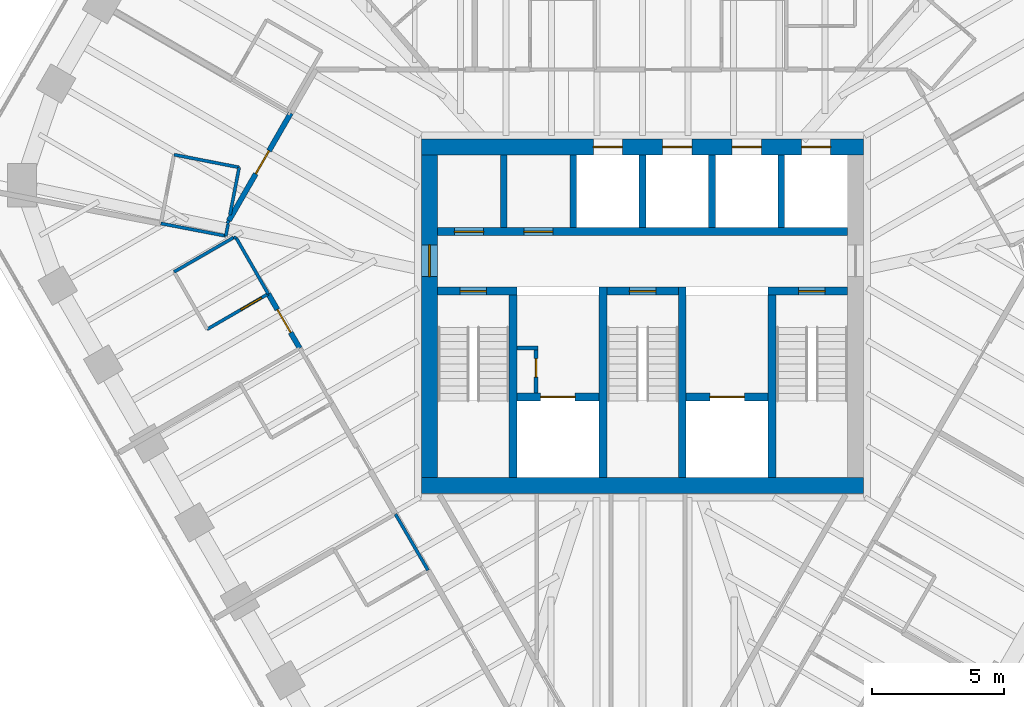
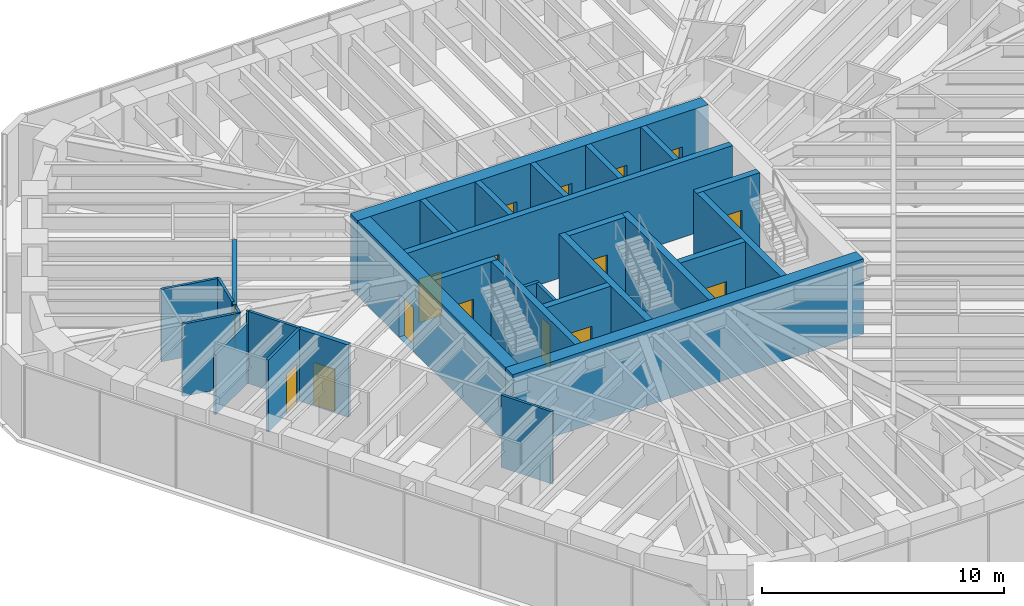
# One storey, part 10 of 14: 32 walls, 16 doors, 16 openings.
"""IFC4 building model written with IfcOpenShell, lengths in metres."""

from ifc_helpers import new_model, si_unit, direction, frame, frame_2d, origin, place, context, subcontext, project, spatial, rectangle, extrude, material, layer, layer_set, type_object, element, fill, save


model = new_model("IFC4")

# Units and contexts
model_context = context("Model", 3, precision=1e-05, world=origin(), true_north=direction((0.0, 1.0)))
body_context = subcontext(model_context, "Body", "Model", "MODEL_VIEW")
ifc_project = project(units=[si_unit("LENGTHUNIT", "METRE"), si_unit("AREAUNIT", "SQUARE_METRE"), si_unit("VOLUMEUNIT", "CUBIC_METRE"), si_unit("PLANEANGLEUNIT", "RADIAN"), si_unit("MASSUNIT", "GRAM", prefix="KILO")], contexts=[model_context])

# Site, building, storey
site_placement = place(None, origin())
site = spatial("IfcSite", under=ifc_project, at=site_placement, CompositionType="ELEMENT")
building_placement = place(site_placement, origin())
building = spatial("IfcBuilding", under=site, at=building_placement, Name="Sandreach Pilgrim Tower", CompositionType="ELEMENT")
storey_placement = place(building_placement, frame((0.0, 0.0, 287.39990234375)))
storey = spatial("IfcBuildingStorey", under=building, at=storey_placement, Name="L72", CompositionType="ELEMENT", Elevation=287.39990234375)

# Wall
ifc_material_1 = material(Name="Moisture-resistant gypsum board on steel studs", Category="steel")
ifc_layer_1 = layer(ifc_material_1, 0.1201171875)
ifc_layer_set_1 = layer_set([ifc_layer_1], Name="Bathroom partition 120")
wall_type_1 = type_object("IfcWallType", Name="Bathroom partition 120", PredefinedType="PARTITIONING", material=ifc_layer_set_1)
wall_1_placement = place(storey_placement, frame((-18.2099609375, 3.510009765625, 0.0), z_axis=(0.0, 0.0, 1.0), x_axis=(0.9820935986, -0.188393639991, 0.0)))
element("IfcWall", 1, at=wall_1_placement, inside=storey, type_object=wall_type_1, Name="Bathroom partition L72-004", PredefinedType="PARTITIONING", context=body_context, shape_type="SweptSolid", body=[
    extrude(rectangle(XDim=2.49462890625, YDim=0.1201171875, at=frame_2d((1.247314453125, 0.0))), origin(), (0.0, 0.0, 1.0), 3.64013671875),
])

# Wall, opening, door
wall_2_placement = place(storey_placement, frame((-16.4599609375, -0.489990234375, 0.0), z_axis=(0.0, 0.0, 1.0), x_axis=(0.86498992408, 0.501789229896, 0.0)))
wall_2 = element("IfcWall", 2, at=wall_2_placement, inside=storey, type_object=wall_type_1, Name="Bathroom partition L72-008", PredefinedType="PARTITIONING", context=body_context, shape_type="SweptSolid", body=[
    extrude(rectangle(XDim=2.670654296875, YDim=0.1201171875, at=frame_2d((1.33544921875, 0.0))), origin(), (0.0, 0.0, 1.0), 3.64013671875),
])
opening_1_placement = place(wall_2_placement, frame((1.470458984375, 0.0, 0.0)))
opening_1 = element("IfcOpeningElement", 3, at=opening_1_placement, cuts=wall_2, Name="Opening D09-14B", PredefinedType="OPENING", context=body_context, shape_type="SweptSolid", body=[
    extrude(rectangle(XDim=0.89990234375, YDim=2.030029296875, at=frame_2d((0.449951171875, 1.01513671875))), frame((0.0, 0.06005859375, 0.0), z_axis=(0.0, -1.0, 0.0), x_axis=(1.0, 0.0, 0.0)), (0.0, 0.0, 1.0), 0.1201171875),
])
ifc_material_2 = material(Name="Timber door, steel frame", Category="steel")
door_type_1 = type_object("IfcDoorType", Name="Bathroom door", OperationType="SINGLE_SWING_LEFT", PredefinedType="DOOR", material=ifc_material_2)
door_1_placement = place(opening_1_placement, origin())
door_1 = element("IfcDoor", 4, at=door_1_placement, inside=storey, type_object=door_type_1, Name="Door 7214B", OperationType="SINGLE_SWING_RIGHT", OverallHeight=2.030029296875, OverallWidth=0.89990234375, PredefinedType="DOOR", context=body_context, shape_type="SweptSolid", body=[
    extrude(rectangle(XDim=0.89990234375, YDim=2.030029296875, at=frame_2d((0.449951171875, 1.01513671875))), frame((0.0, 0.02490234375, 0.0), z_axis=(0.0, -1.0, 0.0), x_axis=(1.0, 0.0, 0.0)), (0.0, 0.0, 1.0), 0.050048828125),
])
fill(opening_1, door_1)

# Walls
wall_3_placement = place(storey_placement, frame((-15.701171875, 3.510498046875, 0.0), z_axis=(0.0, 0.0, 1.0), x_axis=(0.498654097425, 0.86680106779, 0.0)))
element("IfcWall", 5, at=wall_3_placement, inside=storey, type_object=wall_type_1, Name="Bathroom partition L72-010", PredefinedType="PARTITIONING", context=body_context, shape_type="SweptSolid", body=[
    extrude(rectangle(XDim=0.125244140625, YDim=0.1201171875, at=frame_2d((0.0625, 0.0))), origin(), (0.0, 0.0, 1.0), 3.64013671875),
])
wall_4_placement = place(storey_placement, frame((-15.66845703125, 3.48583984375, 0.0), z_axis=(0.0, 0.0, 1.0), x_axis=(-0.18920021221, -0.981938531528, 0.0)))
element("IfcWall", 6, at=wall_4_placement, inside=storey, type_object=wall_type_1, Name="Bathroom partition L72-011", PredefinedType="PARTITIONING", context=body_context, shape_type="SweptSolid", body=[
    extrude(rectangle(XDim=0.4619140625, YDim=0.1201171875, at=frame_2d((0.23095703125, 0.0))), origin(), (0.0, 0.0, 1.0), 3.64013671875),
])
wall_5_placement = place(storey_placement, frame((-15.59912109375, 3.8310546875, 0.0), z_axis=(0.0, 0.0, 1.0), x_axis=(0.190502378828, 0.981686733974, 0.0)))
element("IfcWall", 7, at=wall_5_placement, inside=storey, type_object=wall_type_1, Name="Bathroom partition L72-013", PredefinedType="PARTITIONING", context=body_context, shape_type="SweptSolid", body=[
    extrude(rectangle(XDim=1.83251953125, YDim=0.1201171875, at=frame_2d((0.916259765625, 0.0))), origin(), (0.0, 0.0, 1.0), 3.64013671875),
])
wall_6_placement = place(storey_placement, frame((-15.4599609375, 2.97998046875, 0.0), z_axis=(0.0, 0.0, 1.0), x_axis=(-0.865856933682, -0.500291685314, 0.0)))
element("IfcWall", 8, at=wall_6_placement, inside=storey, type_object=wall_type_1, Name="Bathroom partition L72-015", PredefinedType="PARTITIONING", context=body_context, shape_type="SweptSolid", body=[
    extrude(rectangle(XDim=2.5986328125, YDim=0.1201171875, at=frame_2d((1.29931640625, 0.0))), origin(), (0.0, 0.0, 1.0), 3.0380859375),
])
wall_7_placement = place(storey_placement, frame((-15.4599609375, 2.97998046875, 0.0), z_axis=(0.0, 0.0, 1.0), x_axis=(0.980580675691, -0.196116135138, 0.0)))
element("IfcWall", 9, at=wall_7_placement, inside=storey, type_object=wall_type_1, Name="Bathroom partition L72-016", PredefinedType="PARTITIONING", context=body_context, shape_type="SweptSolid", body=[
    extrude(rectangle(XDim=0.10205078125, YDim=0.1201171875, at=frame_2d((0.051025390625, 0.0))), origin(), (0.0, 0.0, 1.0), 3.64013671875),
])
wall_8_placement = place(storey_placement, frame((-15.360107421875, 2.9599609375, 0.0), z_axis=(0.0, 0.0, 1.0), x_axis=(0.497511007376, -0.867457663255, 0.0)))
element("IfcWall", 10, at=wall_8_placement, inside=storey, type_object=wall_type_1, Name="Bathroom partition L72-017", PredefinedType="PARTITIONING", context=body_context, shape_type="SweptSolid", body=[
    extrude(rectangle(XDim=2.4326171875, YDim=0.1201171875, at=frame_2d((1.21630859375, 0.0))), origin(), (0.0, 0.0, 1.0), 3.64013671875),
])
wall_9_placement = place(storey_placement, frame((-15.25, 5.6298828125, 0.0), z_axis=(0.0, 0.0, 1.0), x_axis=(-0.981473171926, 0.191599615838, 0.0)))
element("IfcWall", 11, at=wall_9_placement, inside=storey, type_object=wall_type_1, Name="Bathroom partition L72-018", PredefinedType="PARTITIONING", context=body_context, shape_type="SweptSolid", body=[
    extrude(rectangle(XDim=2.50634765625, YDim=0.1201171875, at=frame_2d((1.253173828125, 0.0))), origin(), (0.0, 0.0, 1.0), 3.64013671875),
])
wall_10_placement = place(storey_placement, frame((-9.340087890625, -7.47998046875, 0.0), z_axis=(0.0, 0.0, 1.0), x_axis=(0.501813488763, -0.864975850817, 0.0)))
element("IfcWall", 12, at=wall_10_placement, inside=storey, type_object=wall_type_1, Name="Bathroom partition L72-036", PredefinedType="PARTITIONING", context=body_context, shape_type="SweptSolid", body=[
    extrude(rectangle(XDim=2.451171875, YDim=0.1201171875, at=frame_2d((1.2255859375, 0.0))), origin(), (0.0, 0.0, 1.0), 3.64013671875),
])
ifc_material_3 = material(Name="Concrete 10000 psi", Category="concrete")
ifc_layer_2 = layer(ifc_material_3, 0.300048828125)
ifc_layer_set_2 = layer_set([ifc_layer_2], Name="Core inner wall 300")
wall_type_2 = type_object("IfcWallType", Name="Core inner wall 300", PredefinedType="SHEAR", material=ifc_layer_set_2)
for number, where, z_axis, x_axis, name in (
    (13, (-4.89990234375, -6.10009765625, 0.0), (0.0, 0.0, 1.0), (0.0, 1.0, 0.0), "Core wall I0 L72"),
    (14, (-1.5, -6.10009765625, 0.0), (0.0, 0.0, 1.0), (0.0, 1.0, 0.0), "Core wall I1 L72"),
    (15, (1.5, -6.10009765625, 0.0), (0.0, 0.0, 1.0), (0.0, 1.0, 0.0), "Core wall I2 L72"),
    (16, (4.89990234375, -6.10009765625, 0.0), (0.0, 0.0, 1.0), (0.0, 1.0, 0.0), "Core wall I3 L72"),
):
    element("IfcWall", number, at=place(storey_placement, frame(where, z_axis=z_axis, x_axis=x_axis)), inside=storey, type_object=wall_type_2, Name=name, PredefinedType="SHEAR", context=body_context, shape_type="SweptSolid", body=[
        extrude(rectangle(XDim=7.2001953125, YDim=0.300048828125, at=frame_2d((3.60009765625, 0.0))), origin(), (0.0, 0.0, 1.0), 3.800048828125),
    ])

# Wall, opening, door
wall_11_placement = place(storey_placement, frame((-7.75, 0.949951171875, 0.0), z_axis=(0.0, 0.0, 1.0), x_axis=(1.0, 0.0, 0.0)))
wall_11 = element("IfcWall", 17, at=wall_11_placement, inside=storey, type_object=wall_type_2, Name="Core wall SN1 L72", PredefinedType="SHEAR", context=body_context, shape_type="SweptSolid", body=[
    extrude(rectangle(XDim=3.0, YDim=0.300048828125, at=frame_2d((1.5, 0.0))), origin(), (0.0, 0.0, 1.0), 3.800048828125),
])
opening_2_placement = place(wall_11_placement, frame((0.85009765625, 0.0, 0.0)))
opening_2 = element("IfcOpeningElement", 18, at=opening_2_placement, cuts=wall_11, Name="Opening D10S-ST1", PredefinedType="OPENING", context=body_context, shape_type="SweptSolid", body=[
    extrude(rectangle(XDim=1.0, YDim=2.199951171875, at=frame_2d((0.5, 1.10009765625))), frame((0.0, 0.14990234375, 0.0), z_axis=(0.0, -1.0, 0.0), x_axis=(1.0, 0.0, 0.0)), (0.0, 0.0, 1.0), 0.300048828125),
])
ifc_material_4 = material(Name="Steel door and frame", Category="steel")
door_type_2 = type_object("IfcDoorType", Name="Stair door", OperationType="SINGLE_SWING_LEFT", PredefinedType="DOOR", material=ifc_material_4)
door_2_placement = place(opening_2_placement, origin())
door_2 = element("IfcDoor", 19, at=door_2_placement, inside=storey, type_object=door_type_2, Name="Stair door ST1 L72", OperationType="SINGLE_SWING_LEFT", OverallHeight=2.199951171875, OverallWidth=1.0, PredefinedType="DOOR", context=body_context, shape_type="SweptSolid", body=[
    extrude(rectangle(XDim=1.0, YDim=2.199951171875, at=frame_2d((0.5, 1.10009765625))), frame((0.0, 0.02490234375, 0.0), z_axis=(0.0, -1.0, 0.0), x_axis=(1.0, 0.0, 0.0)), (0.0, 0.0, 1.0), 0.050048828125),
])
fill(opening_2, door_2)

wall_12_placement = place(storey_placement, frame((-1.35009765625, 0.949951171875, 0.0), z_axis=(0.0, 0.0, 1.0), x_axis=(1.0, 0.0, 0.0)))
wall_12 = element("IfcWall", 20, at=wall_12_placement, inside=storey, type_object=wall_type_2, Name="Core wall SN3 L72", PredefinedType="SHEAR", context=body_context, shape_type="SweptSolid", body=[
    extrude(rectangle(XDim=2.7001953125, YDim=0.300048828125, at=frame_2d((1.35009765625, 0.0))), origin(), (0.0, 0.0, 1.0), 3.800048828125),
])
opening_3_placement = place(wall_12_placement, frame((0.85009765625, 0.0, 0.0)))
opening_3 = element("IfcOpeningElement", 21, at=opening_3_placement, cuts=wall_12, Name="Opening D10S-ST3", PredefinedType="OPENING", context=body_context, shape_type="SweptSolid", body=[
    extrude(rectangle(XDim=1.0, YDim=2.199951171875, at=frame_2d((0.5, 1.10009765625))), frame((0.0, 0.14990234375, 0.0), z_axis=(0.0, -1.0, 0.0), x_axis=(1.0, 0.0, 0.0)), (0.0, 0.0, 1.0), 0.300048828125),
])
door_3_placement = place(opening_3_placement, origin())
door_3 = element("IfcDoor", 22, at=door_3_placement, inside=storey, type_object=door_type_2, Name="Stair door ST3 L72", OperationType="SINGLE_SWING_LEFT", OverallHeight=2.199951171875, OverallWidth=1.0, PredefinedType="DOOR", context=body_context, shape_type="SweptSolid", body=[
    extrude(rectangle(XDim=1.0, YDim=2.199951171875, at=frame_2d((0.5, 1.10009765625))), frame((0.0, 0.02490234375, 0.0), z_axis=(0.0, -1.0, 0.0), x_axis=(1.0, 0.0, 0.0)), (0.0, 0.0, 1.0), 0.050048828125),
])
fill(opening_3, door_3)

wall_13_placement = place(storey_placement, frame((4.75, 0.949951171875, 0.0), z_axis=(0.0, 0.0, 1.0), x_axis=(1.0, 0.0, 0.0)))
wall_13 = element("IfcWall", 23, at=wall_13_placement, inside=storey, type_object=wall_type_2, Name="Core wall SN2 L72", PredefinedType="SHEAR", context=body_context, shape_type="SweptSolid", body=[
    extrude(rectangle(XDim=3.0, YDim=0.300048828125, at=frame_2d((1.5, 0.0))), origin(), (0.0, 0.0, 1.0), 3.800048828125),
])
opening_4_placement = place(wall_13_placement, frame((1.14990234375, 0.0, 0.0)))
opening_4 = element("IfcOpeningElement", 24, at=opening_4_placement, cuts=wall_13, Name="Opening D10S-ST2", PredefinedType="OPENING", context=body_context, shape_type="SweptSolid", body=[
    extrude(rectangle(XDim=1.0, YDim=2.199951171875, at=frame_2d((0.5, 1.10009765625))), frame((0.0, 0.14990234375, 0.0), z_axis=(0.0, -1.0, 0.0), x_axis=(1.0, 0.0, 0.0)), (0.0, 0.0, 1.0), 0.300048828125),
])
door_4_placement = place(opening_4_placement, origin())
door_4 = element("IfcDoor", 25, at=door_4_placement, inside=storey, type_object=door_type_2, Name="Stair door ST2 L72", OperationType="SINGLE_SWING_RIGHT", OverallHeight=2.199951171875, OverallWidth=1.0, PredefinedType="DOOR", context=body_context, shape_type="SweptSolid", body=[
    extrude(rectangle(XDim=1.0, YDim=2.199951171875, at=frame_2d((0.5, 1.10009765625))), frame((0.0, 0.02490234375, 0.0), z_axis=(0.0, -1.0, 0.0), x_axis=(1.0, 0.0, 0.0)), (0.0, 0.0, 1.0), 0.050048828125),
])
fill(opening_4, door_4)

wall_14_placement = place(storey_placement, frame((-4.75, -3.050048828125, 0.0), z_axis=(0.0, 0.0, 1.0), x_axis=(1.0, 0.0, 0.0)))
wall_14 = element("IfcWall", 26, at=wall_14_placement, inside=storey, type_object=wall_type_2, Name="Core wall FL1 L72", PredefinedType="SHEAR", context=body_context, shape_type="SweptSolid", body=[
    extrude(rectangle(XDim=3.10009765625, YDim=0.300048828125, at=frame_2d((1.550048828125, 0.0))), origin(), (0.0, 0.0, 1.0), 3.800048828125),
])
opening_5_placement = place(wall_14_placement, frame((0.89990234375, 0.0, 0.0)))
opening_5 = element("IfcOpeningElement", 27, at=opening_5_placement, cuts=wall_14, Name="Opening LD13", PredefinedType="OPENING", context=body_context, shape_type="SweptSolid", body=[
    extrude(rectangle(XDim=1.300048828125, YDim=2.10009765625, at=frame_2d((0.64990234375, 1.050048828125))), frame((0.0, 0.14990234375, 0.0), z_axis=(0.0, -1.0, 0.0), x_axis=(1.0, 0.0, 0.0)), (0.0, 0.0, 1.0), 0.300048828125),
])
ifc_material_5 = material(Name="Steel door and frame", Category="steel")
door_type_3 = type_object("IfcDoorType", Name="Fire service lift landing door", OperationType="DOUBLE_DOOR_SLIDING", PredefinedType="DOOR", material=ifc_material_5)
door_5_placement = place(opening_5_placement, origin())
door_5 = element("IfcDoor", 28, at=door_5_placement, inside=storey, type_object=door_type_3, Name="Lift landing door FS1 L72", OperationType="DOUBLE_DOOR_SLIDING", OverallHeight=2.10009765625, OverallWidth=1.300048828125, PredefinedType="DOOR", context=body_context, shape_type="SweptSolid", body=[
    extrude(rectangle(XDim=1.300048828125, YDim=2.10009765625, at=frame_2d((0.64990234375, 1.050048828125))), frame((0.0, 0.02490234375, 0.0), z_axis=(0.0, -1.0, 0.0), x_axis=(1.0, 0.0, 0.0)), (0.0, 0.0, 1.0), 0.050048828125),
])
fill(opening_5, door_5)

wall_15_placement = place(storey_placement, frame((1.64990234375, -3.050048828125, 0.0), z_axis=(0.0, 0.0, 1.0), x_axis=(1.0, 0.0, 0.0)))
wall_15 = element("IfcWall", 29, at=wall_15_placement, inside=storey, type_object=wall_type_2, Name="Core wall FL2 L72", PredefinedType="SHEAR", context=body_context, shape_type="SweptSolid", body=[
    extrude(rectangle(XDim=3.10009765625, YDim=0.300048828125, at=frame_2d((1.550048828125, 0.0))), origin(), (0.0, 0.0, 1.0), 3.800048828125),
])
opening_6_placement = place(wall_15_placement, frame((0.89990234375, 0.0, 0.0)))
opening_6 = element("IfcOpeningElement", 30, at=opening_6_placement, cuts=wall_15, Name="Opening LD13", PredefinedType="OPENING", context=body_context, shape_type="SweptSolid", body=[
    extrude(rectangle(XDim=1.300048828125, YDim=2.10009765625, at=frame_2d((0.64990234375, 1.050048828125))), frame((0.0, 0.14990234375, 0.0), z_axis=(0.0, -1.0, 0.0), x_axis=(1.0, 0.0, 0.0)), (0.0, 0.0, 1.0), 0.300048828125),
])
door_6_placement = place(opening_6_placement, origin())
door_6 = element("IfcDoor", 31, at=door_6_placement, inside=storey, type_object=door_type_3, Name="Lift landing door FS2 L72", OperationType="DOUBLE_DOOR_SLIDING", OverallHeight=2.10009765625, OverallWidth=1.300048828125, PredefinedType="DOOR", context=body_context, shape_type="SweptSolid", body=[
    extrude(rectangle(XDim=1.300048828125, YDim=2.10009765625, at=frame_2d((0.64990234375, 1.050048828125))), frame((0.0, 0.02490234375, 0.0), z_axis=(0.0, -1.0, 0.0), x_axis=(1.0, 0.0, 0.0)), (0.0, 0.0, 1.0), 0.050048828125),
])
fill(opening_6, door_6)

# Wall, openings, doors
wall_16_placement = place(storey_placement, frame((-7.75, 3.199951171875, 0.0), z_axis=(0.0, 0.0, 1.0), x_axis=(1.0, 0.0, 0.0)))
wall_16 = element("IfcWall", 32, at=wall_16_placement, inside=storey, type_object=wall_type_2, Name="Core wall PN L72", PredefinedType="SHEAR", context=body_context, shape_type="SweptSolid", body=[
    extrude(rectangle(XDim=15.5, YDim=0.300048828125, at=frame_2d((7.75, 0.0))), origin(), (0.0, 0.0, 1.0), 3.800048828125),
])
opening_7_placement = place(wall_16_placement, frame((0.637451171875, 0.0, 0.0)))
opening_7 = element("IfcOpeningElement", 33, at=opening_7_placement, cuts=wall_16, Name="Opening D11L", PredefinedType="OPENING", context=body_context, shape_type="SweptSolid", body=[
    extrude(rectangle(XDim=1.10009765625, YDim=2.199951171875, at=frame_2d((0.550048828125, 1.10009765625))), frame((0.0, 0.14990234375, 0.0), z_axis=(0.0, -1.0, 0.0), x_axis=(1.0, 0.0, 0.0)), (0.0, 0.0, 1.0), 0.300048828125),
])
opening_8_placement = place(wall_16_placement, frame((3.262451171875, 0.0, 0.0)))
opening_8 = element("IfcOpeningElement", 34, at=opening_8_placement, cuts=wall_16, Name="Opening D11L", PredefinedType="OPENING", context=body_context, shape_type="SweptSolid", body=[
    extrude(rectangle(XDim=1.10009765625, YDim=2.199951171875, at=frame_2d((0.550048828125, 1.10009765625))), frame((0.0, 0.14990234375, 0.0), z_axis=(0.0, -1.0, 0.0), x_axis=(1.0, 0.0, 0.0)), (0.0, 0.0, 1.0), 0.300048828125),
])
ifc_material_6 = material(Name="Steel door and frame, smoke seals", Category="steel")
door_type_4 = type_object("IfcDoorType", Name="Core room door", OperationType="SINGLE_SWING_LEFT", PredefinedType="DOOR", material=ifc_material_6)
door_7_placement = place(opening_7_placement, origin())
door_7 = element("IfcDoor", 35, at=door_7_placement, inside=storey, type_object=door_type_4, Name="Door butler pantry 72K1", OperationType="SINGLE_SWING_LEFT", OverallHeight=2.199951171875, OverallWidth=1.10009765625, PredefinedType="DOOR", context=body_context, shape_type="SweptSolid", body=[
    extrude(rectangle(XDim=1.10009765625, YDim=2.199951171875, at=frame_2d((0.550048828125, 1.10009765625))), frame((0.0, 0.02490234375, 0.0), z_axis=(0.0, -1.0, 0.0), x_axis=(1.0, 0.0, 0.0)), (0.0, 0.0, 1.0), 0.050048828125),
])
fill(opening_7, door_7)
door_8_placement = place(opening_8_placement, origin())
door_8 = element("IfcDoor", 36, at=door_8_placement, inside=storey, type_object=door_type_4, Name="Door storage room 72K2", OperationType="SINGLE_SWING_LEFT", OverallHeight=2.199951171875, OverallWidth=1.10009765625, PredefinedType="DOOR", context=body_context, shape_type="SweptSolid", body=[
    extrude(rectangle(XDim=1.10009765625, YDim=2.199951171875, at=frame_2d((0.550048828125, 1.10009765625))), frame((0.0, 0.02490234375, 0.0), z_axis=(0.0, -1.0, 0.0), x_axis=(1.0, 0.0, 0.0)), (0.0, 0.0, 1.0), 0.050048828125),
])
fill(opening_8, door_8)

ifc_material_7 = material(Name="Concrete 10000 psi", Category="concrete")
ifc_layer_3 = layer(ifc_material_7, 0.60009765625)
ifc_layer_set_3 = layer_set([ifc_layer_3], Name="Core wall 600")
wall_type_3 = type_object("IfcWallType", Name="Core wall 600", PredefinedType="SHEAR", material=ifc_layer_set_3)
wall_17_placement = place(storey_placement, frame((-8.35009765625, 6.39990234375, 0.0), z_axis=(0.0, 0.0, 1.0), x_axis=(1.0, 0.0, 0.0)))
wall_17 = element("IfcWall", 37, at=wall_17_placement, inside=storey, type_object=wall_type_3, Name="Core wall N L72", PredefinedType="SHEAR", context=body_context, shape_type="SweptSolid", body=[
    extrude(rectangle(XDim=16.7001953125, YDim=0.60009765625, at=frame_2d((8.35009765625, 0.0))), origin(), (0.0, 0.0, 1.0), 3.800048828125),
])
opening_9_placement = place(wall_17_placement, frame((6.487548828125, 0.0, 0.0)))
opening_9 = element("IfcOpeningElement", 38, at=opening_9_placement, cuts=wall_17, Name="Opening LD11", PredefinedType="OPENING", context=body_context, shape_type="SweptSolid", body=[
    extrude(rectangle(XDim=1.10009765625, YDim=2.10009765625, at=frame_2d((0.550048828125, 1.050048828125))), frame((0.0, 0.300048828125, 0.0), z_axis=(0.0, -1.0, 0.0), x_axis=(1.0, 0.0, 0.0)), (0.0, 0.0, 1.0), 0.60009765625),
])
opening_10_placement = place(wall_17_placement, frame((9.112548828125, 0.0, 0.0)))
opening_10 = element("IfcOpeningElement", 39, at=opening_10_placement, cuts=wall_17, Name="Opening LD11", PredefinedType="OPENING", context=body_context, shape_type="SweptSolid", body=[
    extrude(rectangle(XDim=1.10009765625, YDim=2.10009765625, at=frame_2d((0.550048828125, 1.050048828125))), frame((0.0, 0.300048828125, 0.0), z_axis=(0.0, -1.0, 0.0), x_axis=(1.0, 0.0, 0.0)), (0.0, 0.0, 1.0), 0.60009765625),
])
opening_11_placement = place(wall_17_placement, frame((11.737548828125, 0.0, 0.0)))
opening_11 = element("IfcOpeningElement", 40, at=opening_11_placement, cuts=wall_17, Name="Opening LD11", PredefinedType="OPENING", context=body_context, shape_type="SweptSolid", body=[
    extrude(rectangle(XDim=1.10009765625, YDim=2.10009765625, at=frame_2d((0.550048828125, 1.050048828125))), frame((0.0, 0.300048828125, 0.0), z_axis=(0.0, -1.0, 0.0), x_axis=(1.0, 0.0, 0.0)), (0.0, 0.0, 1.0), 0.60009765625),
])
opening_12_placement = place(wall_17_placement, frame((14.362548828125, 0.0, 0.0)))
opening_12 = element("IfcOpeningElement", 41, at=opening_12_placement, cuts=wall_17, Name="Opening LD11", PredefinedType="OPENING", context=body_context, shape_type="SweptSolid", body=[
    extrude(rectangle(XDim=1.10009765625, YDim=2.10009765625, at=frame_2d((0.550048828125, 1.050048828125))), frame((0.0, 0.300048828125, 0.0), z_axis=(0.0, -1.0, 0.0), x_axis=(1.0, 0.0, 0.0)), (0.0, 0.0, 1.0), 0.60009765625),
])
ifc_material_8 = material(Name="Steel door and frame", Category="steel")
door_type_5 = type_object("IfcDoorType", Name="Lift landing door", OperationType="DOUBLE_DOOR_SLIDING", PredefinedType="DOOR", material=ifc_material_8)
door_9_placement = place(opening_9_placement, origin())
door_9 = element("IfcDoor", 42, at=door_9_placement, inside=storey, type_object=door_type_5, Name="Lift landing door Z3A L72", OperationType="DOUBLE_DOOR_SLIDING", OverallHeight=2.10009765625, OverallWidth=1.10009765625, PredefinedType="DOOR", context=body_context, shape_type="SweptSolid", body=[
    extrude(rectangle(XDim=1.10009765625, YDim=2.10009765625, at=frame_2d((0.550048828125, 1.050048828125))), frame((0.0, 0.02490234375, 0.0), z_axis=(0.0, -1.0, 0.0), x_axis=(1.0, 0.0, 0.0)), (0.0, 0.0, 1.0), 0.050048828125),
])
fill(opening_9, door_9)
door_10_placement = place(opening_10_placement, origin())
door_10 = element("IfcDoor", 43, at=door_10_placement, inside=storey, type_object=door_type_5, Name="Lift landing door Z3B L72", OperationType="DOUBLE_DOOR_SLIDING", OverallHeight=2.10009765625, OverallWidth=1.10009765625, PredefinedType="DOOR", context=body_context, shape_type="SweptSolid", body=[
    extrude(rectangle(XDim=1.10009765625, YDim=2.10009765625, at=frame_2d((0.550048828125, 1.050048828125))), frame((0.0, 0.02490234375, 0.0), z_axis=(0.0, -1.0, 0.0), x_axis=(1.0, 0.0, 0.0)), (0.0, 0.0, 1.0), 0.050048828125),
])
fill(opening_10, door_10)
door_11_placement = place(opening_11_placement, origin())
door_11 = element("IfcDoor", 44, at=door_11_placement, inside=storey, type_object=door_type_5, Name="Lift landing door Z3C L72", OperationType="DOUBLE_DOOR_SLIDING", OverallHeight=2.10009765625, OverallWidth=1.10009765625, PredefinedType="DOOR", context=body_context, shape_type="SweptSolid", body=[
    extrude(rectangle(XDim=1.10009765625, YDim=2.10009765625, at=frame_2d((0.550048828125, 1.050048828125))), frame((0.0, 0.02490234375, 0.0), z_axis=(0.0, -1.0, 0.0), x_axis=(1.0, 0.0, 0.0)), (0.0, 0.0, 1.0), 0.050048828125),
])
fill(opening_11, door_11)
door_12_placement = place(opening_12_placement, origin())
door_12 = element("IfcDoor", 45, at=door_12_placement, inside=storey, type_object=door_type_5, Name="Lift landing door Z3D L72", OperationType="DOUBLE_DOOR_SLIDING", OverallHeight=2.10009765625, OverallWidth=1.10009765625, PredefinedType="DOOR", context=body_context, shape_type="SweptSolid", body=[
    extrude(rectangle(XDim=1.10009765625, YDim=2.10009765625, at=frame_2d((0.550048828125, 1.050048828125))), frame((0.0, 0.02490234375, 0.0), z_axis=(0.0, -1.0, 0.0), x_axis=(1.0, 0.0, 0.0)), (0.0, 0.0, 1.0), 0.050048828125),
])
fill(opening_12, door_12)

# Wall
wall_18_placement = place(storey_placement, frame((-8.35009765625, -6.39990234375, 0.0), z_axis=(0.0, 0.0, 1.0), x_axis=(1.0, 0.0, 0.0)))
element("IfcWall", 46, at=wall_18_placement, inside=storey, type_object=wall_type_3, Name="Core wall S L72", PredefinedType="SHEAR", context=body_context, shape_type="SweptSolid", body=[
    extrude(rectangle(XDim=16.7001953125, YDim=0.60009765625, at=frame_2d((8.35009765625, 0.0))), origin(), (0.0, 0.0, 1.0), 3.800048828125),
])

# Wall, opening, door
wall_19_placement = place(storey_placement, frame((-8.050048828125, -6.10009765625, 0.0), z_axis=(0.0, 0.0, 1.0), x_axis=(0.0, 1.0, 0.0)))
wall_19 = element("IfcWall", 47, at=wall_19_placement, inside=storey, type_object=wall_type_3, Name="Core wall W L72", PredefinedType="SHEAR", context=body_context, shape_type="SweptSolid", body=[
    extrude(rectangle(XDim=12.2001953125, YDim=0.60009765625, at=frame_2d((6.10009765625, 0.0))), origin(), (0.0, 0.0, 1.0), 3.800048828125),
])
opening_13_placement = place(wall_19_placement, frame((7.60009765625, 0.0, 0.0)))
opening_13 = element("IfcOpeningElement", 48, at=opening_13_placement, cuts=wall_19, Name="Opening D12F-W", PredefinedType="OPENING", context=body_context, shape_type="SweptSolid", body=[
    extrude(rectangle(XDim=1.199951171875, YDim=2.199951171875, at=frame_2d((0.60009765625, 1.10009765625))), frame((0.0, 0.300048828125, 0.0), z_axis=(0.0, -1.0, 0.0), x_axis=(1.0, 0.0, 0.0)), (0.0, 0.0, 1.0), 0.60009765625),
])
ifc_material_9 = material(Name="Steel door and frame", Category="steel")
door_type_6 = type_object("IfcDoorType", Name="Fire lobby door", OperationType="SINGLE_SWING_LEFT", PredefinedType="DOOR", material=ifc_material_9)
door_13_placement = place(opening_13_placement, origin())
door_13 = element("IfcDoor", 49, at=door_13_placement, inside=storey, type_object=door_type_6, Name="Fire service lobby door W L72", OperationType="SINGLE_SWING_RIGHT", OverallHeight=2.199951171875, OverallWidth=1.199951171875, PredefinedType="DOOR", context=body_context, shape_type="SweptSolid", body=[
    extrude(rectangle(XDim=1.199951171875, YDim=2.199951171875, at=frame_2d((0.60009765625, 1.10009765625))), frame((0.0, 0.02490234375, 0.0), z_axis=(0.0, -1.0, 0.0), x_axis=(1.0, 0.0, 0.0)), (0.0, 0.0, 1.0), 0.050048828125),
])
fill(opening_13, door_13)

ifc_material_10 = material(Name="Gypsum board on steel studs, two layers each side", Category="steel")
ifc_layer_4 = layer(ifc_material_10, 0.199951171875)
ifc_layer_set_4 = layer_set([ifc_layer_4], Name="Corridor wall 200")
wall_type_4 = type_object("IfcWallType", Name="Corridor wall 200", PredefinedType="PARTITIONING", material=ifc_layer_set_4)
wall_20_placement = place(storey_placement, frame((-15.64013671875, 3.619873046875, 0.0), z_axis=(0.0, 0.0, 1.0), x_axis=(0.499361596599, 0.866393672555, 0.0)))
wall_20 = element("IfcWall", 50, at=wall_20_placement, inside=storey, type_object=wall_type_4, Name="Corridor wall L72-012", PredefinedType="PARTITIONING", context=body_context, shape_type="SweptSolid", body=[
    extrude(rectangle(XDim=4.686279296875, YDim=0.199951171875, at=frame_2d((2.34326171875, 0.0))), origin(), (0.0, 0.0, 1.0), 3.64013671875),
])
opening_14_placement = place(wall_20_placement, frame((2.04296875, 0.0, 0.0)))
opening_14 = element("IfcOpeningElement", 51, at=opening_14_placement, cuts=wall_20, Name="Opening D10-15", PredefinedType="OPENING", context=body_context, shape_type="SweptSolid", body=[
    extrude(rectangle(XDim=1.0, YDim=2.1298828125, at=frame_2d((0.5, 1.06494140625))), frame((0.0, 0.10009765625, 0.0), z_axis=(0.0, -1.0, 0.0), x_axis=(1.0, 0.0, 0.0)), (0.0, 0.0, 1.0), 0.199951171875),
])
ifc_material_11 = material(Name="Steel door and frame", Category="steel")
door_type_7 = type_object("IfcDoorType", Name="Guest room entry door", OperationType="SINGLE_SWING_LEFT", PredefinedType="DOOR", material=ifc_material_11)
door_14_placement = place(opening_14_placement, origin())
door_14 = element("IfcDoor", 52, at=door_14_placement, inside=storey, type_object=door_type_7, Name="Door 7215", OperationType="SINGLE_SWING_RIGHT", OverallHeight=2.1298828125, OverallWidth=1.0, PredefinedType="DOOR", context=body_context, shape_type="SweptSolid", body=[
    extrude(rectangle(XDim=1.0, YDim=2.1298828125, at=frame_2d((0.5, 1.06494140625))), frame((0.0, 0.02490234375, 0.0), z_axis=(0.0, -1.0, 0.0), x_axis=(1.0, 0.0, 0.0)), (0.0, 0.0, 1.0), 0.050048828125),
])
fill(opening_14, door_14)

wall_21_placement = place(storey_placement, frame((-14.14990234375, 0.85009765625, 0.0), z_axis=(0.0, 0.0, 1.0), x_axis=(0.500178430292, -0.865922362496, 0.0)))
wall_21 = element("IfcWall", 53, at=wall_21_placement, inside=storey, type_object=wall_type_4, Name="Corridor wall L72-022", PredefinedType="PARTITIONING", context=body_context, shape_type="SweptSolid", body=[
    extrude(rectangle(XDim=2.379150390625, YDim=0.199951171875, at=frame_2d((1.189453125, 0.0))), origin(), (0.0, 0.0, 1.0), 3.64013671875),
])
opening_15_placement = place(wall_21_placement, frame((0.689453125, 0.0, 0.0)))
opening_15 = element("IfcOpeningElement", 54, at=opening_15_placement, cuts=wall_21, Name="Opening D10-14", PredefinedType="OPENING", context=body_context, shape_type="SweptSolid", body=[
    extrude(rectangle(XDim=1.0, YDim=2.1298828125, at=frame_2d((0.5, 1.06494140625))), frame((0.0, 0.10009765625, 0.0), z_axis=(0.0, -1.0, 0.0), x_axis=(1.0, 0.0, 0.0)), (0.0, 0.0, 1.0), 0.199951171875),
])
door_15_placement = place(opening_15_placement, origin())
door_15 = element("IfcDoor", 55, at=door_15_placement, inside=storey, type_object=door_type_7, Name="Door 7214", OperationType="SINGLE_SWING_LEFT", OverallHeight=2.1298828125, OverallWidth=1.0, PredefinedType="DOOR", context=body_context, shape_type="SweptSolid", body=[
    extrude(rectangle(XDim=1.0, YDim=2.1298828125, at=frame_2d((0.5, 1.06494140625))), frame((0.0, 0.02490234375, 0.0), z_axis=(0.0, -1.0, 0.0), x_axis=(1.0, 0.0, 0.0)), (0.0, 0.0, 1.0), 0.050048828125),
])
fill(opening_15, door_15)

ifc_material_12 = material(Name="Gypsum shaft wall on steel studs, shaft liner board", Category="steel")
ifc_layer_5 = layer(ifc_material_12, 0.14990234375)
ifc_layer_set_5 = layer_set([ifc_layer_5], Name="Riser shaft wall 150")
wall_type_5 = type_object("IfcWallType", Name="Riser shaft wall 150", PredefinedType="PARTITIONING", material=ifc_layer_set_5)
wall_22_placement = place(storey_placement, frame((-4.02490234375, -2.89990234375, 0.0), z_axis=(0.0, 0.0, 1.0), x_axis=(0.0, 1.0, 0.0)))
wall_22 = element("IfcWall", 56, at=wall_22_placement, inside=storey, type_object=wall_type_5, Name="Riser partition L72 side", PredefinedType="PARTITIONING", context=body_context, shape_type="SweptSolid", body=[
    extrude(rectangle(XDim=1.77490234375, YDim=0.14990234375, at=frame_2d((0.887451171875, 0.0))), origin(), (0.0, 0.0, 1.0), 3.64013671875),
])
opening_16_placement = place(wall_22_placement, frame((0.60009765625, 0.0, 0.0)))
opening_16 = element("IfcOpeningElement", 57, at=opening_16_placement, cuts=wall_22, Name="Opening D07R", PredefinedType="OPENING", context=body_context, shape_type="SweptSolid", body=[
    extrude(rectangle(XDim=0.699951171875, YDim=2.10009765625, at=frame_2d((0.35009765625, 1.050048828125))), frame((0.0, 0.074951171875, 0.0), z_axis=(0.0, -1.0, 0.0), x_axis=(1.0, 0.0, 0.0)), (0.0, 0.0, 1.0), 0.14990234375),
])
ifc_material_13 = material(Name="Steel door and frame, smoke seals", Category="steel")
door_type_8 = type_object("IfcDoorType", Name="Riser access door", OperationType="SINGLE_SWING_RIGHT", PredefinedType="DOOR", material=ifc_material_13)
door_16_placement = place(opening_16_placement, origin())
door_16 = element("IfcDoor", 58, at=door_16_placement, inside=storey, type_object=door_type_8, Name="Door riser 72ER", OperationType="SINGLE_SWING_RIGHT", OverallHeight=2.10009765625, OverallWidth=0.699951171875, PredefinedType="DOOR", context=body_context, shape_type="SweptSolid", body=[
    extrude(rectangle(XDim=0.699951171875, YDim=2.10009765625, at=frame_2d((0.35009765625, 1.050048828125))), frame((0.0, 0.02490234375, 0.0), z_axis=(0.0, -1.0, 0.0), x_axis=(1.0, 0.0, 0.0)), (0.0, 0.0, 1.0), 0.050048828125),
])
fill(opening_16, door_16)

# Walls
wall_23_placement = place(storey_placement, frame((-4.75, -1.199951171875, 0.0), z_axis=(0.0, 0.0, 1.0), x_axis=(1.0, 0.0, 0.0)))
element("IfcWall", 59, at=wall_23_placement, inside=storey, type_object=wall_type_5, Name="Riser partition L72 front", PredefinedType="PARTITIONING", context=body_context, shape_type="SweptSolid", body=[
    extrude(rectangle(XDim=0.800048828125, YDim=0.14990234375, at=frame_2d((0.39990234375, 0.0))), origin(), (0.0, 0.0, 1.0), 3.64013671875),
])
ifc_material_14 = material(Name="Gypsum shaft wall on steel studs, two layers of shaft liner board", Category="steel")
ifc_layer_6 = layer(ifc_material_14, 0.25)
ifc_layer_set_6 = layer_set([ifc_layer_6], Name="Shaft partition 250")
wall_type_6 = type_object("IfcWallType", Name="Shaft partition 250", PredefinedType="PARTITIONING", material=ifc_layer_set_6)
for number, where, z_axis, x_axis, name in (
    (60, (-5.25, 3.35009765625, 0.0), (0.0, 0.0, 1.0), (0.0, 1.0, 0.0), "Shaft partition NS0 L72"),
    (61, (-2.625, 3.35009765625, 0.0), (0.0, 0.0, 1.0), (0.0, 1.0, 0.0), "Shaft partition NS1 L72"),
    (62, (0.0, 3.35009765625, 0.0), (0.0, 0.0, 1.0), (0.0, 1.0, 0.0), "Shaft partition NS2 L72"),
    (63, (2.625, 3.35009765625, 0.0), (0.0, 0.0, 1.0), (0.0, 1.0, 0.0), "Shaft partition NS3 L72"),
    (64, (5.25, 3.35009765625, 0.0), (0.0, 0.0, 1.0), (0.0, 1.0, 0.0), "Shaft partition NS4 L72"),
):
    element("IfcWall", number, at=place(storey_placement, frame(where, z_axis=z_axis, x_axis=x_axis)), inside=storey, type_object=wall_type_6, Name=name, PredefinedType="PARTITIONING", context=body_context, shape_type="SweptSolid", body=[
        extrude(rectangle(XDim=2.75, YDim=0.25, at=frame_2d((1.375, 0.0))), origin(), (0.0, 0.0, 1.0), 3.800048828125),
    ])

save(model, "model.ifc")
